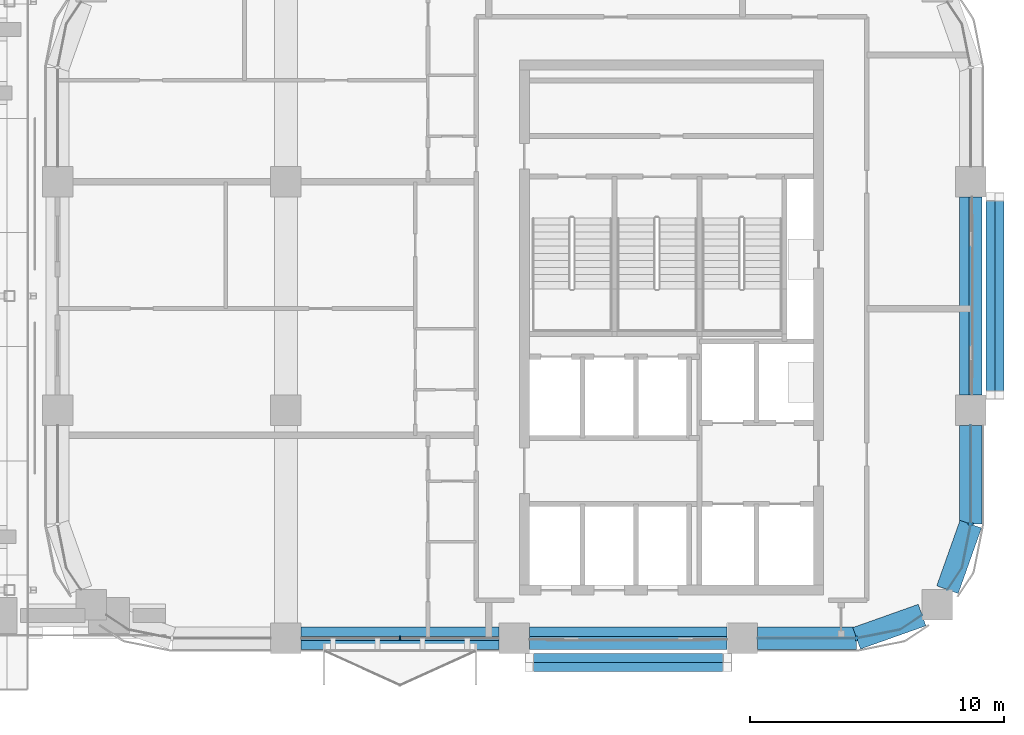
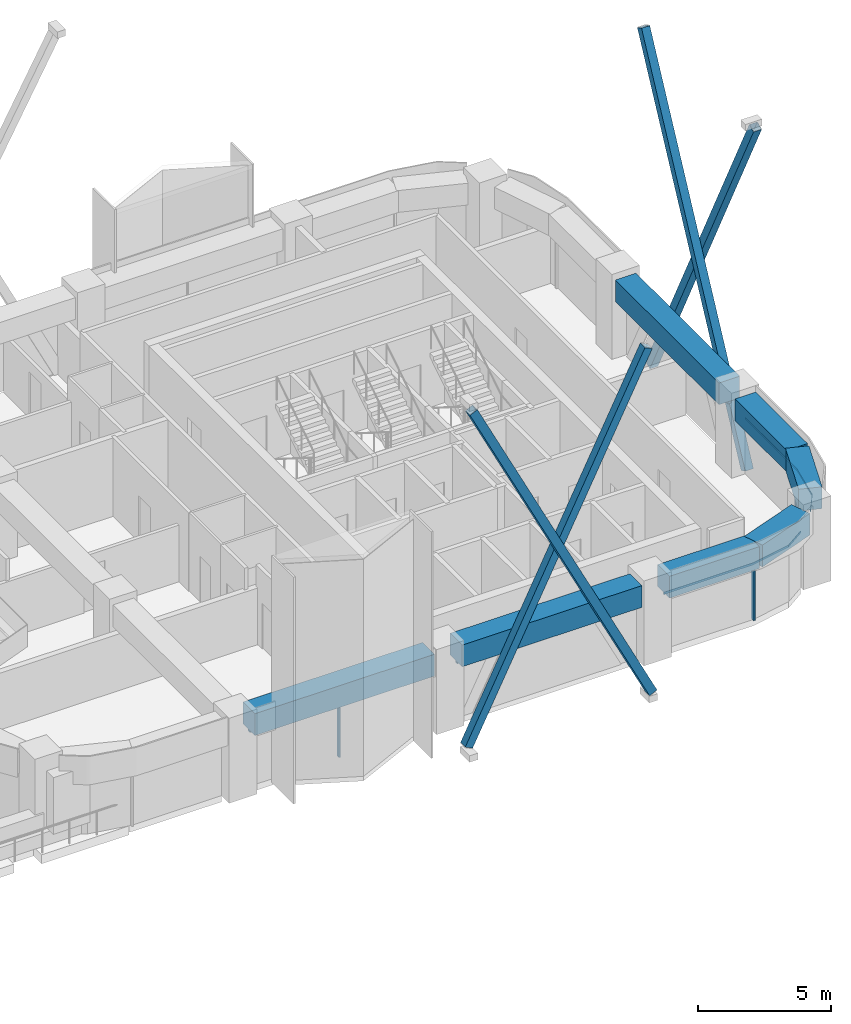
# One storey, part 4 of 13: 12 members, 7 beams, 5 elements without a shape of their own.
"""IFC4 building model written with IfcOpenShell, lengths in metres."""

from ifc_helpers import new_model, si_unit, direction, frame, origin, origin_2d, place, context, subcontext, project, spatial, polyline, rectangle, hollow_rectangle, outline, extrude, material, material_profile, profile_set, type_object, element, aggregate, save


model = new_model("IFC4")

# Units and contexts
model_context = context("Model", 3, precision=1e-05, world=origin(), true_north=direction((0.0, 1.0)))
body_context = subcontext(model_context, "Body", "Model", "MODEL_VIEW")
ifc_project = project(units=[si_unit("LENGTHUNIT", "METRE"), si_unit("AREAUNIT", "SQUARE_METRE"), si_unit("VOLUMEUNIT", "CUBIC_METRE"), si_unit("PLANEANGLEUNIT", "RADIAN"), si_unit("MASSUNIT", "GRAM", prefix="KILO")], contexts=[model_context])

# Site, building, storey
site_placement = place(None, origin())
site = spatial("IfcSite", under=ifc_project, at=site_placement, CompositionType="ELEMENT")
building_placement = place(site_placement, origin())
building = spatial("IfcBuilding", under=site, at=building_placement, Name="Tessera Arch", CompositionType="ELEMENT")
storey_placement = place(building_placement, frame((0.0, 0.0, 234.5)))
storey = spatial("IfcBuildingStorey", under=building, at=storey_placement, Name="L56", CompositionType="ELEMENT", Elevation=234.5)

# Members
ifc_material_1 = material(Name="Steel A500 Gr C", Category="steel")
ifc_material_profile_1 = material_profile(ifc_material_1, hollow_rectangle(XDim=0.355712890625, YDim=0.355712890625, WallThickness=0.01171875, at=origin_2d()), Name="HSS14x14x1/2")
ifc_profile_set_1 = profile_set([ifc_material_profile_1], Name="Steel A500 Gr C")
member_type_1 = type_object("IfcMemberType", Name="Brace HSS14x14x1/2 Steel A500 Gr C", PredefinedType="BRACE", material=ifc_profile_set_1)
for number, where, z_axis, x_axis, name in (
    (1, (54.77783203125, 36.60009765625, -0.800048828125), (0.0, 0.447202397208, 0.894432790058), (-1.0, 0.0, 0.0), "Brace E54.27-0 A L56-L59"),
    (2, (55.13330078125, 44.39990234375, -0.800048828125), (0.0, -0.447202397208, 0.894432790058), (1.0, 0.0, 0.0), "Brace E54.27-0 B L56-L59"),
    (3, (36.60009765625, 26.22216796875, -0.800048828125), (0.447202397208, 0.0, 0.894432790058), (0.0, 1.0, 0.0), "Brace S27.18-2 A L56-L59"),
    (4, (44.39990234375, 25.86669921875, -0.800048828125), (-0.447202397208, 0.0, 0.894432790058), (0.0, -1.0, 0.0), "Brace S27.18-2 B L56-L59"),
):
    element("IfcMember", number, at=place(storey_placement, frame(where, z_axis=z_axis, x_axis=x_axis)), inside=storey, type_object=member_type_1, Name=name, PredefinedType="BRACE", context=body_context, shape_type="SweptSolid", body=[
        extrude(hollow_rectangle(XDim=0.355712890625, YDim=0.355712890625, WallThickness=0.01171875, at=origin_2d()), origin(), (0.0, 0.0, 1.0), 17.44140625),
    ])

# Curtain wall, members
ifc_material_2 = material(Name="CW1 curtain wall")
curtain_wall_type_1 = type_object("IfcCurtainWallType", Name="CW1 curtain wall", PredefinedType="NOTDEFINED", material=ifc_material_2)
curtain_wall_1_placement = place(storey_placement, origin())
curtain_wall_1 = element("IfcCurtainWall", 5, at=curtain_wall_1_placement, inside=storey, type_object=curtain_wall_type_1, Name="CW1 curtain wall S27.18/1 L56", PredefinedType="NOTDEFINED")
ifc_material_3 = material(Name="Anodised aluminium pale metal", Category="aluminium")
ifc_material_profile_2 = material_profile(ifc_material_3, rectangle(XDim=0.159912109375, YDim=0.06005859375, at=origin_2d()), Name="AL 60x160")
ifc_profile_set_2 = profile_set([ifc_material_profile_2], Name="Anodised aluminium pale metal")
member_type_2 = type_object("IfcMemberType", Name="CW1 mullion", PredefinedType="MULLION", material=ifc_profile_set_2)
member_1_placement = place(storey_placement, frame((31.5, 27.0, 0.0), z_axis=(0.0, 0.0, 1.0), x_axis=(0.0, 1.0, 0.0)))
member_1 = element("IfcMember", 6, at=member_1_placement, type_object=member_type_2, Name="CW1 mullion S27.18/1 1", PredefinedType="MULLION", context=body_context, shape_type="SweptSolid", body=[
    extrude(rectangle(XDim=0.159912109375, YDim=0.06005859375, at=origin_2d()), origin(), (0.0, 0.0, 1.0), 2.5),
])
ifc_material_4 = material(Name="Anodised aluminium pale metal", Category="aluminium")
ifc_material_profile_3 = material_profile(ifc_material_4, rectangle(XDim=0.159912109375, YDim=0.10009765625, at=origin_2d()), Name="AL 160x100")
ifc_profile_set_3 = profile_set([ifc_material_profile_3], Name="Anodised aluminium pale metal")
member_type_3 = type_object("IfcMemberType", Name="CW1 transom", PredefinedType="USERDEFINED", material=ifc_profile_set_3)
member_2_placement = place(storey_placement, frame((27.60009765625, 27.0, 2.550048828125), z_axis=(1.0, 0.0, 0.0), x_axis=(0.0, 1.0, 0.0)))
member_2 = element("IfcMember", 7, at=member_2_placement, type_object=member_type_3, Name="CW1 transom S27.18/1 1.1", ObjectType="TRANSOM", PredefinedType="USERDEFINED", context=body_context, shape_type="SweptSolid", body=[
    extrude(rectangle(XDim=0.159912109375, YDim=0.10009765625, at=origin_2d()), origin(), (0.0, 0.0, 1.0), 7.7998046875),
])
aggregate(curtain_wall_1, [member_1, member_2])

# Curtain wall, member
ifc_material_5 = material(Name="CW2 curtain wall")
curtain_wall_type_2 = type_object("IfcCurtainWallType", Name="CW2 curtain wall", PredefinedType="NOTDEFINED", material=ifc_material_5)
curtain_wall_2_placement = place(storey_placement, origin())
curtain_wall_2 = element("IfcCurtainWall", 8, at=curtain_wall_2_placement, inside=storey, type_object=curtain_wall_type_2, Name="CW2 curtain wall S27.18/3 L56", PredefinedType="NOTDEFINED")
ifc_material_6 = material(Name="Anodised aluminium pale metal", Category="aluminium")
ifc_material_profile_4 = material_profile(ifc_material_6, rectangle(XDim=0.199951171875, YDim=0.080078125, at=origin_2d()), Name="AL 80x200")
ifc_profile_set_4 = profile_set([ifc_material_profile_4], Name="Anodised aluminium pale metal")
member_type_4 = type_object("IfcMemberType", Name="CW2 mullion", PredefinedType="MULLION", material=ifc_profile_set_4)
member_3_placement = place(storey_placement, frame((49.5, 27.0, 0.0), z_axis=(0.0, 0.0, 1.0), x_axis=(0.0, 1.0, 0.0)))
member_3 = element("IfcMember", 9, at=member_3_placement, type_object=member_type_4, Name="CW2 mullion S27.18/3 1", PredefinedType="MULLION", context=body_context, shape_type="SweptSolid", body=[
    extrude(rectangle(XDim=0.199951171875, YDim=0.080078125, at=origin_2d()), origin(), (0.0, 0.0, 1.0), 2.5),
])

curtain_wall_3_placement = place(storey_placement, origin())
curtain_wall_3 = element("IfcCurtainWall", 10, at=curtain_wall_3_placement, inside=storey, type_object=curtain_wall_type_2, Name="CW2 curtain wall E54.27/2 L56", PredefinedType="NOTDEFINED")
member_4_placement = place(storey_placement, frame((54.0, 31.5, 0.0), z_axis=(0.0, 0.0, 1.0), x_axis=(-1.0, 0.0, 0.0)))
member_4 = element("IfcMember", 11, at=member_4_placement, type_object=member_type_4, Name="CW2 mullion E54.27/2 1", PredefinedType="MULLION", context=body_context, shape_type="SweptSolid", body=[
    extrude(rectangle(XDim=0.199951171875, YDim=0.080078125, at=origin_2d()), origin(), (0.0, 0.0, 1.0), 2.5),
])

# Member
ifc_material_7 = material(Name="Anodised aluminium pale metal", Category="aluminium")
ifc_material_profile_5 = material_profile(ifc_material_7, rectangle(XDim=0.199951171875, YDim=0.10009765625, at=origin_2d()), Name="AL 200x100")
ifc_profile_set_5 = profile_set([ifc_material_profile_5], Name="Anodised aluminium pale metal")
member_type_5 = type_object("IfcMemberType", Name="CW2 transom", PredefinedType="USERDEFINED", material=ifc_profile_set_5)
member_5_placement = place(storey_placement, frame((0.0, 0.0, 2.5)))
member_5 = element("IfcMember", 12, at=member_5_placement, type_object=member_type_5, Name="CW2 transom S27.18/3 1", ObjectType="TRANSOM", PredefinedType="USERDEFINED", context=body_context, shape_type="SweptSolid", body=[
    extrude(outline(polyline([(49.4990234375, 27.010009765625), (45.60009765625, 27.010009765625), (45.60009765625, 26.989990234375), (49.5009765625, 26.989990234375), (51.22607421875, 27.3330078125), (52.087646484375, 27.90869140625), (52.076416015625, 27.92529296875), (51.21826171875, 27.351806640625), (49.4990234375, 27.010009765625)])), origin(), (0.0, 0.0, 1.0), 0.10009765625),
])

aggregate(curtain_wall_2, [member_3, member_5])

member_6_placement = place(storey_placement, frame((0.0, 0.0, 2.5)))
member_6 = element("IfcMember", 13, at=member_6_placement, type_object=member_type_5, Name="CW2 transom E54.27/2 1", ObjectType="TRANSOM", PredefinedType="USERDEFINED", context=body_context, shape_type="SweptSolid", body=[
    extrude(outline(polyline([(53.648193359375, 29.78173828125), (53.07470703125, 28.923583984375), (53.09130859375, 28.912353515625), (53.6669921875, 29.77392578125), (54.010009765625, 31.4990234375), (54.010009765625, 35.39990234375), (53.989990234375, 35.39990234375), (53.989990234375, 31.5009765625), (53.648193359375, 29.78173828125)])), origin(), (0.0, 0.0, 1.0), 0.10009765625),
])

aggregate(curtain_wall_3, [member_4, member_6])

# Curtain wall, member
ifc_material_8 = material(Name="CW3 curtain wall")
curtain_wall_type_3 = type_object("IfcCurtainWallType", Name="CW3 curtain wall", PredefinedType="NOTDEFINED", material=ifc_material_8)
curtain_wall_4_placement = place(storey_placement, origin())
curtain_wall_4 = element("IfcCurtainWall", 14, at=curtain_wall_4_placement, inside=storey, type_object=curtain_wall_type_3, Name="CW3 curtain wall E54.27/0 L56", PredefinedType="NOTDEFINED")
ifc_material_9 = material(Name="Anodised aluminium pale metal", Category="aluminium")
ifc_material_profile_6 = material_profile(ifc_material_9, rectangle(XDim=0.139892578125, YDim=0.10009765625, at=origin_2d()), Name="AL 140x100")
ifc_profile_set_6 = profile_set([ifc_material_profile_6], Name="Anodised aluminium pale metal")
member_type_6 = type_object("IfcMemberType", Name="CW3 transom", PredefinedType="USERDEFINED", material=ifc_profile_set_6)
member_7_placement = place(storey_placement, frame((54.0, 36.60009765625, 2.550048828125), z_axis=(0.0, 1.0, 0.0), x_axis=(-1.0, 0.0, 0.0)))
member_7 = element("IfcMember", 15, at=member_7_placement, type_object=member_type_6, Name="CW3 transom E54.27/0 1.1", ObjectType="TRANSOM", PredefinedType="USERDEFINED", context=body_context, shape_type="SweptSolid", body=[
    extrude(rectangle(XDim=0.139892578125, YDim=0.10009765625, at=origin_2d()), origin(), (0.0, 0.0, 1.0), 7.7998046875),
])
aggregate(curtain_wall_4, [member_7])

curtain_wall_5_placement = place(storey_placement, origin())
curtain_wall_5 = element("IfcCurtainWall", 16, at=curtain_wall_5_placement, inside=storey, type_object=curtain_wall_type_3, Name="CW3 curtain wall S27.18/2 L56", PredefinedType="NOTDEFINED")
member_8_placement = place(storey_placement, frame((36.60009765625, 27.0, 2.550048828125), z_axis=(1.0, 0.0, 0.0), x_axis=(0.0, 1.0, 0.0)))
member_8 = element("IfcMember", 17, at=member_8_placement, type_object=member_type_6, Name="CW3 transom S27.18/2 1.1", ObjectType="TRANSOM", PredefinedType="USERDEFINED", context=body_context, shape_type="SweptSolid", body=[
    extrude(rectangle(XDim=0.139892578125, YDim=0.10009765625, at=origin_2d()), origin(), (0.0, 0.0, 1.0), 7.7998046875),
])
aggregate(curtain_wall_5, [member_8])

# Beams
ifc_material_10 = material(Name="Concrete C60/75", Category="concrete")
ifc_material_profile_7 = material_profile(ifc_material_10, rectangle(XDim=0.89990234375, YDim=1.0, at=origin_2d()), Name="RC spandrel beam 900 x 1000 Concrete C60/75")
ifc_profile_set_7 = profile_set([ifc_material_profile_7], Name="Concrete C60/75")
beam_type = type_object("IfcBeamType", Name="RC spandrel beam 900 x 1000 Concrete C60/75", PredefinedType="BEAM", material=ifc_profile_set_7)
for number, where, z_axis, x_axis, name in (
    (18, (54.0, 36.60009765625, 3.10009765625), (0.0, 1.0, 0.0), (-1.0, 0.0, 0.0), "Spandrel beam L56 E54.27/0"),
    (19, (27.60009765625, 27.0, 3.10009765625), (1.0, 0.0, 0.0), (0.0, 1.0, 0.0), "Spandrel beam L56 S27.18/1"),
    (20, (36.60009765625, 27.0, 3.10009765625), (1.0, 0.0, 0.0), (0.0, 1.0, 0.0), "Spandrel beam L56 S27.18/2"),
):
    element("IfcBeam", number, at=place(storey_placement, frame(where, z_axis=z_axis, x_axis=x_axis)), inside=storey, type_object=beam_type, Name=name, PredefinedType="BEAM", context=body_context, shape_type="SweptSolid", body=[
        extrude(rectangle(XDim=0.89990234375, YDim=1.0, at=origin_2d()), origin(), (0.0, 0.0, 1.0), 7.7998046875),
    ])
beam_1_placement = place(storey_placement, frame((45.60009765625, 27.0, 3.10009765625), z_axis=(1.0, 0.0, 0.0), x_axis=(0.0, 1.0, 0.0)))
element("IfcBeam", 21, at=beam_1_placement, inside=storey, type_object=beam_type, Name="Spandrel beam L56 S27.18/3.1", PredefinedType="BEAM", context=body_context, shape_type="SweptSolid", body=[
    extrude(rectangle(XDim=0.89990234375, YDim=1.0, at=origin_2d()), origin(), (0.0, 0.0, 1.0), 3.89990234375),
])
for number, where, z_axis, x_axis, name in (
    (22, (49.5, 27.0, 3.10009765625), (0.942337127159, 0.334665114373, 0.0), (-0.334665114373, 0.942337127159, 0.0), "Spandrel beam L56 S27.18/3.2"),
    (23, (53.0830078125, 28.91796875, 3.10009765625), (0.334665114373, 0.942337127159, 0.0), (-0.942337127159, 0.334665114373, 0.0), "Spandrel beam L56 E54.27/2.1"),
):
    element("IfcBeam", number, at=place(storey_placement, frame(where, z_axis=z_axis, x_axis=x_axis)), inside=storey, type_object=beam_type, Name=name, PredefinedType="BEAM", context=body_context, shape_type="SweptSolid", body=[
        extrude(rectangle(XDim=0.89990234375, YDim=1.0, at=origin_2d()), origin(), (0.0, 0.0, 1.0), 2.739990234375),
    ])
beam_2_placement = place(storey_placement, frame((54.0, 31.5, 3.10009765625), z_axis=(0.0, 1.0, 0.0), x_axis=(-1.0, 0.0, 0.0)))
element("IfcBeam", 24, at=beam_2_placement, inside=storey, type_object=beam_type, Name="Spandrel beam L56 E54.27/2.2", PredefinedType="BEAM", context=body_context, shape_type="SweptSolid", body=[
    extrude(rectangle(XDim=0.89990234375, YDim=1.0, at=origin_2d()), origin(), (0.0, 0.0, 1.0), 3.89990234375),
])

save(model, "model.ifc")
